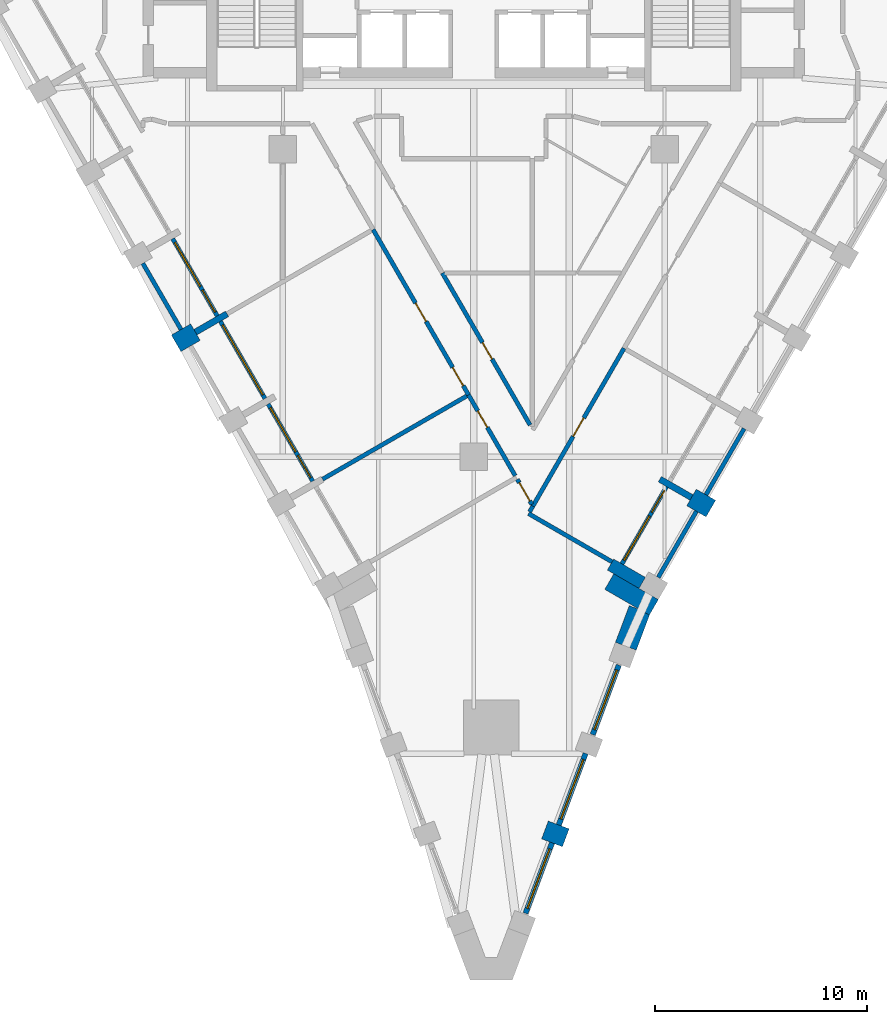
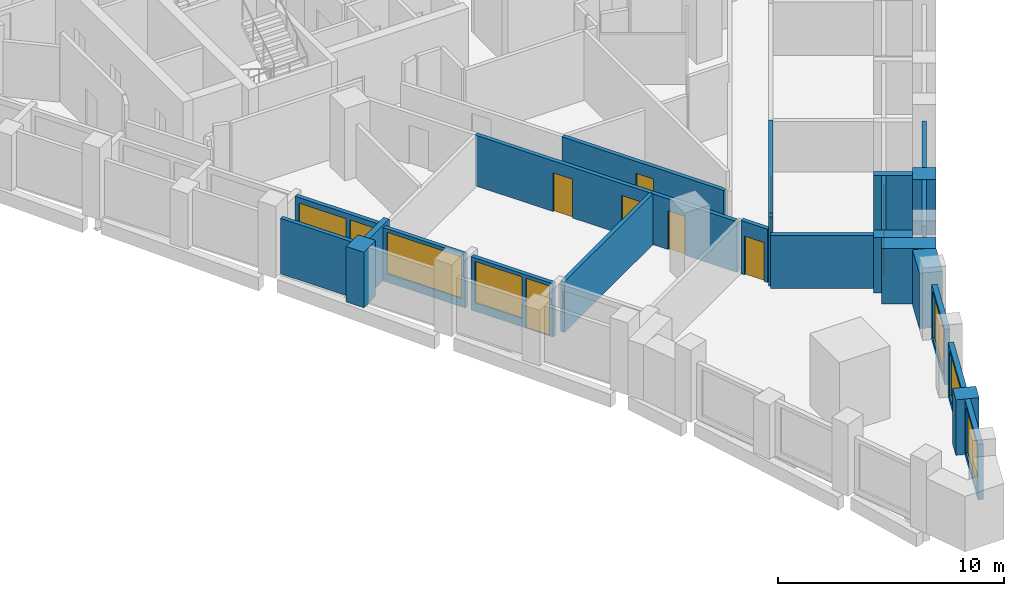
# One storey, part 3 of 10: 26 walls, 9 doors, 7 windows, 16 openings.
"""IFC4 building model written with IfcOpenShell, lengths in metres."""

from ifc_helpers import new_model, si_unit, direction, frame, frame_2d, origin, place, context, subcontext, project, spatial, polyline, rectangle, outline, extrude, material, layer, layer_set, type_object, element, fill, save


model = new_model("IFC4")

# Units and contexts
model_context = context("Model", 3, precision=1e-05, world=origin(), true_north=direction((0.0, 1.0)))
body_context = subcontext(model_context, "Body", "Model", "MODEL_VIEW")
ifc_project = project(units=[si_unit("LENGTHUNIT", "METRE"), si_unit("AREAUNIT", "SQUARE_METRE"), si_unit("VOLUMEUNIT", "CUBIC_METRE"), si_unit("PLANEANGLEUNIT", "RADIAN"), si_unit("MASSUNIT", "GRAM", prefix="KILO")], contexts=[model_context])

# Site, building, storey
site_placement = place(None, origin())
site = spatial("IfcSite", under=ifc_project, at=site_placement, CompositionType="ELEMENT")
building_placement = place(site_placement, origin())
building = spatial("IfcBuilding", under=site, at=building_placement, Name="Calabash Gate Tower", CompositionType="ELEMENT")
storey_placement = place(building_placement, frame((0.0, 0.0, 187.5)))
storey = spatial("IfcBuildingStorey", under=building, at=storey_placement, Name="L44", CompositionType="ELEMENT", Elevation=187.5)

# Walls
ifc_material_1 = material(Name="Terracotta brick masonry, exposed face", Category="masonry")
ifc_layer_1 = layer(ifc_material_1, 2.425048828125)
ifc_layer_set_1 = layer_set([ifc_layer_1], Name="Brick corner mass wall 2425")
wall_type_1 = type_object("IfcWallType", Name="Brick corner mass wall 2425", PredefinedType="SOLIDWALL", material=ifc_layer_set_1)
wall_1_placement = place(storey_placement, frame((8.489013671875, -19.102294921875, 0.0), z_axis=(0.0, 0.0, 1.0), x_axis=(-0.866041403502, 0.499972286653, 0.0)))
element("IfcWall", 1, at=wall_1_placement, inside=storey, type_object=wall_type_1, Name="Brick corner pier S12 2", PredefinedType="SOLIDWALL", context=body_context, shape_type="SweptSolid", body=[
    extrude(rectangle(XDim=2.425048828125, YDim=0.849609375, at=frame_2d((1.21240234375, 0.0))), origin(), (0.0, 0.0, 1.0), 3.0),
])
ifc_material_2 = material(Name="Terracotta brick masonry, exposed face", Category="masonry")
ifc_layer_2 = layer(ifc_material_2, 1.050048828125)
ifc_layer_set_2 = layer_set([ifc_layer_2], Name="Brick end wall 1050")
wall_type_2 = type_object("IfcWallType", Name="Brick end wall 1050", PredefinedType="SOLIDWALL", material=ifc_layer_set_2)
wall_2_placement = place(storey_placement, frame((-14.03271484375, -6.6533203125, 0.0), z_axis=(0.0, 0.0, 1.0), x_axis=(0.866088799389, 0.499890179513, 0.0)))
element("IfcWall", 2, at=wall_2_placement, inside=storey, type_object=wall_type_2, Name="Brick pier S12 SW0.5", PredefinedType="SOLIDWALL", context=body_context, shape_type="SweptSolid", body=[
    extrude(rectangle(XDim=1.050048828125, YDim=0.89990234375, at=frame_2d((0.52490234375, 0.0))), origin(), (0.0, 0.0, 1.0), 3.0),
])
wall_3_placement = place(storey_placement, frame((11.17626953125, -14.447509765625, 0.0), z_axis=(0.0, 0.0, 1.0), x_axis=(-0.866030680601, 0.499990860175, 0.0)))
element("IfcWall", 3, at=wall_3_placement, inside=storey, type_object=wall_type_2, Name="Brick pier S12 SE4.1", PredefinedType="SOLIDWALL", context=body_context, shape_type="SweptSolid", body=[
    extrude(rectangle(XDim=1.0498046875, YDim=0.89990234375, at=frame_2d((0.52490234375, 0.0))), origin(), (0.0, 0.0, 1.0), 3.0),
])
wall_4_placement = place(storey_placement, frame((3.35546875, -29.598876953125, 0.0), z_axis=(0.0, 0.0, 1.0), x_axis=(0.936003928089, -0.351989554676, 0.0)))
element("IfcWall", 4, at=wall_4_placement, inside=storey, type_object=wall_type_2, Name="Brick pier S12 wedge3.1", PredefinedType="SOLIDWALL", context=body_context, shape_type="SweptSolid", body=[
    extrude(rectangle(XDim=1.050048828125, YDim=0.89990234375, at=frame_2d((0.52490234375, 0.0))), origin(), (0.0, 0.0, 1.0), 3.0),
])
wall_5_placement = place(storey_placement, origin())
element("IfcWall", 5, at=wall_5_placement, inside=storey, type_object=wall_type_2, Name="Brick end wall S12 3", PredefinedType="SOLIDWALL", context=body_context, shape_type="SweptSolid", body=[
    extrude(outline(polyline([(7.330322265625, -19.023193359375), (6.68017578125, -20.753173828125), (7.6630859375, -21.12255859375), (8.298095703125, -19.432861328125), (8.276611328125, -19.47021484375), (7.82177734375, -19.207763671875), (7.330322265625, -19.023193359375)])), origin(), (0.0, 0.0, 1.0), 3.0),
])
ifc_material_3 = material(Name="Terracotta brick masonry, exposed face", Category="masonry")
ifc_layer_3 = layer(ifc_material_3, 0.300048828125)
ifc_layer_set_3 = layer_set([ifc_layer_3], Name="Brick loggia cheek wall 300")
wall_type_3 = type_object("IfcWallType", Name="Brick loggia cheek wall 300", PredefinedType="SOLIDWALL", material=ifc_layer_set_3)
wall_6_placement = place(storey_placement, frame((-11.62939453125, -5.265869140625, 0.0), z_axis=(0.0, 0.0, 1.0), x_axis=(-0.866013532718, -0.500020560727, 0.0)))
element("IfcWall", 6, at=wall_6_placement, inside=storey, type_object=wall_type_3, Name="Loggia cheek S12 SW0.5", PredefinedType="SOLIDWALL", context=body_context, shape_type="SweptSolid", body=[
    extrude(rectangle(XDim=1.72509765625, YDim=0.300048828125, at=frame_2d((0.862548828125, 0.0))), origin(), (0.0, 0.0, 1.0), 3.0),
])
wall_7_placement = place(storey_placement, frame((7.942138671875, -17.94970703125, 0.0), z_axis=(0.0, 0.0, 1.0), x_axis=(-0.866013532718, 0.500020560727, 0.0)))
element("IfcWall", 7, at=wall_7_placement, inside=storey, type_object=wall_type_3, Name="Loggia cheek S12 SE4.0", PredefinedType="SOLIDWALL", context=body_context, shape_type="SweptSolid", body=[
    extrude(rectangle(XDim=1.72509765625, YDim=0.60009765625, at=frame_2d((0.862548828125, 0.0))), origin(), (0.0, 0.0, 1.0), 3.0),
])
wall_8_placement = place(storey_placement, frame((10.26708984375, -13.922607421875, 0.0), z_axis=(0.0, 0.0, 1.0), x_axis=(-0.866013532718, 0.500020560727, 0.0)))
element("IfcWall", 8, at=wall_8_placement, inside=storey, type_object=wall_type_3, Name="Loggia cheek S12 SE4.1", PredefinedType="SOLIDWALL", context=body_context, shape_type="SweptSolid", body=[
    extrude(rectangle(XDim=1.72509765625, YDim=0.300048828125, at=frame_2d((0.862548828125, 0.0))), origin(), (0.0, 0.0, 1.0), 3.0),
])
ifc_material_4 = material(Name="Gypsum board on steel studs, mineral wool", Category="steel")
ifc_layer_4 = layer(ifc_material_4, 0.199951171875)
ifc_layer_set_4 = layer_set([ifc_layer_4], Name="Partition 200 gypsum board EI 60")
wall_type_4 = type_object("IfcWallType", Name="Partition 200 gypsum board EI 60", PredefinedType="PARTITIONING", material=ifc_layer_set_4)
wall_9_placement = place(storey_placement, frame((2.58251953125, -14.6826171875, 0.0), z_axis=(0.0, 0.0, 1.0), x_axis=(0.866012237902, -0.500022803284, 0.0)))
element("IfcWall", 9, at=wall_9_placement, inside=storey, type_object=wall_type_4, Name="Partition", PredefinedType="PARTITIONING", context=body_context, shape_type="SweptSolid", body=[
    extrude(rectangle(XDim=4.550048828125, YDim=0.199951171875, at=frame_2d((2.27490234375, 0.0))), origin(), (0.0, 0.0, 1.0), 2.884033203125),
])
wall_10_placement = place(storey_placement, frame((2.63232421875, -14.595947265625, 0.0), z_axis=(0.0, 0.0, 1.0), x_axis=(0.499074005857, 0.866559367082, 0.0)))
element("IfcWall", 10, at=wall_10_placement, inside=storey, type_object=wall_type_4, Name="Partition", PredefinedType="PARTITIONING", context=body_context, shape_type="SweptSolid", body=[
    extrude(rectangle(XDim=0.30419921875, YDim=0.199951171875, at=frame_2d((0.152099609375, 0.0))), origin(), (0.0, 0.0, 1.0), 3.72998046875),
])

# Wall, opening, door
wall_11_placement = place(storey_placement, frame((2.05419921875, -13.0703125, 0.0), z_axis=(0.0, 0.0, 1.0), x_axis=(0.500759821175, -0.865586276172, 0.0)))
wall_11 = element("IfcWall", 11, at=wall_11_placement, inside=storey, type_object=wall_type_4, Name="Partition", PredefinedType="PARTITIONING", context=body_context, shape_type="SweptSolid", body=[
    extrude(rectangle(XDim=1.35791015625, YDim=0.199951171875, at=frame_2d((0.678955078125, 0.0))), origin(), (0.0, 0.0, 1.0), 2.884033203125),
])
opening_1_placement = place(wall_11_placement, frame((0.178955078125, 0.0, 0.0)))
opening_1 = element("IfcOpeningElement", 12, at=opening_1_placement, cuts=wall_11, Name="Opening 42-44-011", PredefinedType="OPENING", context=body_context, shape_type="SweptSolid", body=[
    extrude(rectangle(XDim=1.0, YDim=2.10009765625, at=frame_2d((0.5, 1.050048828125))), frame((0.0, 0.10986328125, 0.0), z_axis=(0.0, -1.0, 0.0), x_axis=(1.0, 0.0, 0.0)), (0.0, 0.0, 1.0), 0.219970703125),
])
ifc_material_5 = material(Name="Steel fire door set with fire-resisting glazing", Category="steel")
door_type_1 = type_object("IfcDoorType", Name="LD2 Meeting room door 1000x2100", OperationType="NOTDEFINED", PredefinedType="DOOR", material=ifc_material_5)
door_1_placement = place(opening_1_placement, origin())
door_1 = element("IfcDoor", 13, at=door_1_placement, inside=storey, type_object=door_type_1, Name="Meeting room door", OperationType="SINGLE_SWING_RIGHT", OverallHeight=2.10009765625, OverallWidth=1.0, PredefinedType="DOOR", context=body_context, shape_type="SweptSolid", body=[
    extrude(rectangle(XDim=1.0, YDim=2.10009765625, at=frame_2d((0.5, 1.050048828125))), frame((0.0, 0.02490234375, 0.0), z_axis=(0.0, -1.0, 0.0), x_axis=(1.0, 0.0, 0.0)), (0.0, 0.0, 1.0), 0.050048828125),
])
fill(opening_1, door_1)

# Wall
wall_12_placement = place(storey_placement, frame((-7.12939453125, -13.060302734375, 0.0), z_axis=(0.0, 0.0, 1.0), x_axis=(0.866135346495, 0.499809525271, 0.0)))
element("IfcWall", 14, at=wall_12_placement, inside=storey, type_object=wall_type_4, Name="Partition", PredefinedType="PARTITIONING", context=body_context, shape_type="SweptSolid", body=[
    extrude(rectangle(XDim=7.84814453125, YDim=0.199951171875, at=frame_2d((3.924072265625, 0.0))), origin(), (0.0, 0.0, 1.0), 2.74169921875),
])

# Wall, openings, doors
wall_13_placement = place(storey_placement, frame((-4.746337890625, -1.2919921875, 0.0), z_axis=(0.0, 0.0, 1.0), x_axis=(0.5000018851, -0.866024315419, 0.0)))
wall_13 = element("IfcWall", 15, at=wall_13_placement, inside=storey, type_object=wall_type_4, Name="Partition", PredefinedType="PARTITIONING", context=body_context, shape_type="SweptSolid", body=[
    extrude(rectangle(XDim=9.0, YDim=0.199951171875, at=frame_2d((4.5, 0.0))), origin(), (0.0, 0.0, 1.0), 2.74169921875),
])
opening_2_placement = place(wall_13_placement, frame((4.0, 0.0, 0.0)))
opening_2 = element("IfcOpeningElement", 16, at=opening_2_placement, cuts=wall_13, Name="Opening 42-44-001", PredefinedType="OPENING", context=body_context, shape_type="SweptSolid", body=[
    extrude(rectangle(XDim=1.0, YDim=2.10009765625, at=frame_2d((0.5, 1.050048828125))), frame((0.0, 0.10986328125, 0.0), z_axis=(0.0, -1.0, 0.0), x_axis=(1.0, 0.0, 0.0)), (0.0, 0.0, 1.0), 0.219970703125),
])
opening_3_placement = place(wall_13_placement, frame((7.501708984375, 0.0, 0.0)))
opening_3 = element("IfcOpeningElement", 17, at=opening_3_placement, cuts=wall_13, Name="Opening 42-44-002", PredefinedType="OPENING", context=body_context, shape_type="SweptSolid", body=[
    extrude(rectangle(XDim=1.0, YDim=2.10009765625, at=frame_2d((0.5, 1.050048828125))), frame((0.0, 0.10986328125, 0.0), z_axis=(0.0, -1.0, 0.0), x_axis=(1.0, 0.0, 0.0)), (0.0, 0.0, 1.0), 0.219970703125),
])
door_2_placement = place(opening_2_placement, origin())
door_2 = element("IfcDoor", 18, at=door_2_placement, inside=storey, type_object=door_type_1, Name="Meeting room door", OperationType="SINGLE_SWING_RIGHT", OverallHeight=2.10009765625, OverallWidth=1.0, PredefinedType="DOOR", context=body_context, shape_type="SweptSolid", body=[
    extrude(rectangle(XDim=1.0, YDim=2.10009765625, at=frame_2d((0.5, 1.050048828125))), frame((0.0, 0.02490234375, 0.0), z_axis=(0.0, -1.0, 0.0), x_axis=(1.0, 0.0, 0.0)), (0.0, 0.0, 1.0), 0.050048828125),
])
fill(opening_2, door_2)
door_3_placement = place(opening_3_placement, origin())
door_3 = element("IfcDoor", 19, at=door_3_placement, inside=storey, type_object=door_type_1, Name="Meeting room door", OperationType="SINGLE_SWING_RIGHT", OverallHeight=2.10009765625, OverallWidth=1.0, PredefinedType="DOOR", context=body_context, shape_type="SweptSolid", body=[
    extrude(rectangle(XDim=1.0, YDim=2.10009765625, at=frame_2d((0.5, 1.050048828125))), frame((0.0, 0.02490234375, 0.0), z_axis=(0.0, -1.0, 0.0), x_axis=(1.0, 0.0, 0.0)), (0.0, 0.0, 1.0), 0.050048828125),
])
fill(opening_3, door_3)

# Wall, opening, door
wall_14_placement = place(storey_placement, frame((-0.245361328125, -9.087890625, 0.0), z_axis=(0.0, 0.0, 1.0), x_axis=(0.500013981145, -0.866017331616, 0.0)))
wall_14 = element("IfcWall", 20, at=wall_14_placement, inside=storey, type_object=wall_type_4, Name="Partition", PredefinedType="PARTITIONING", context=body_context, shape_type="SweptSolid", body=[
    extrude(rectangle(XDim=4.397705078125, YDim=0.199951171875, at=frame_2d((2.19873046875, 0.0))), origin(), (0.0, 0.0, 1.0), 2.74169921875),
])
opening_4_placement = place(wall_14_placement, frame((0.871337890625, 0.0, 0.0)))
opening_4 = element("IfcOpeningElement", 21, at=opening_4_placement, cuts=wall_14, Name="Opening 42-44-003", PredefinedType="OPENING", context=body_context, shape_type="SweptSolid", body=[
    extrude(rectangle(XDim=0.89990234375, YDim=2.10009765625, at=frame_2d((0.449951171875, 1.050048828125))), frame((0.0, 0.10986328125, 0.0), z_axis=(0.0, -1.0, 0.0), x_axis=(1.0, 0.0, 0.0)), (0.0, 0.0, 1.0), 0.219970703125),
])
ifc_material_6 = material(Name="Steel fire door set with fire-resisting glazing", Category="steel")
door_type_2 = type_object("IfcDoorType", Name="SD3 Store door 900x2100", OperationType="NOTDEFINED", PredefinedType="DOOR", material=ifc_material_6)
door_4_placement = place(opening_4_placement, origin())
door_4 = element("IfcDoor", 22, at=door_4_placement, inside=storey, type_object=door_type_2, Name="Store door", OperationType="SINGLE_SWING_RIGHT", OverallHeight=2.10009765625, OverallWidth=0.89990234375, PredefinedType="DOOR", context=body_context, shape_type="SweptSolid", body=[
    extrude(rectangle(XDim=0.89990234375, YDim=2.10009765625, at=frame_2d((0.449951171875, 1.050048828125))), frame((0.0, 0.02490234375, 0.0), z_axis=(0.0, -1.0, 0.0), x_axis=(1.0, 0.0, 0.0)), (0.0, 0.0, 1.0), 0.050048828125),
])
fill(opening_4, door_4)

wall_15_placement = place(storey_placement, frame((2.784423828125, -14.332763671875, 0.0), z_axis=(0.0, 0.0, 1.0), x_axis=(0.500204257301, 0.865907443656, 0.0)))
wall_15 = element("IfcWall", 23, at=wall_15_placement, inside=storey, type_object=wall_type_4, Name="Partition", PredefinedType="PARTITIONING", context=body_context, shape_type="SweptSolid", body=[
    extrude(rectangle(XDim=8.5966796875, YDim=0.199951171875, at=frame_2d((4.29833984375, 0.0))), origin(), (0.0, 0.0, 1.0), 2.74169921875),
])
opening_5_placement = place(wall_15_placement, frame((3.798583984375, 0.0, 0.0)))
opening_5 = element("IfcOpeningElement", 24, at=opening_5_placement, cuts=wall_15, Name="Opening 42-44-004", PredefinedType="OPENING", context=body_context, shape_type="SweptSolid", body=[
    extrude(rectangle(XDim=1.0, YDim=2.39990234375, at=frame_2d((0.5, 1.199951171875))), frame((0.0, 0.10986328125, 0.0), z_axis=(0.0, -1.0, 0.0), x_axis=(1.0, 0.0, 0.0)), (0.0, 0.0, 1.0), 0.219970703125),
])
ifc_material_7 = material(Name="Painted timber door", Category="wood")
door_type_3 = type_object("IfcDoorType", Name="OD2 Glazed office door 1000x2400", OperationType="NOTDEFINED", PredefinedType="DOOR", material=ifc_material_7)
door_5_placement = place(opening_5_placement, origin())
door_5 = element("IfcDoor", 25, at=door_5_placement, inside=storey, type_object=door_type_3, Name="Glazed office door", OperationType="SINGLE_SWING_LEFT", OverallHeight=2.39990234375, OverallWidth=1.0, PredefinedType="DOOR", context=body_context, shape_type="SweptSolid", body=[
    extrude(rectangle(XDim=1.0, YDim=2.39990234375, at=frame_2d((0.5, 1.199951171875))), frame((0.0, 0.02490234375, 0.0), z_axis=(0.0, -1.0, 0.0), x_axis=(1.0, 0.0, 0.0)), (0.0, 0.0, 1.0), 0.050048828125),
])
fill(opening_5, door_5)

wall_16_placement = place(storey_placement, frame((-1.479736328125, -3.341796875, 0.0), z_axis=(0.0, 0.0, 1.0), x_axis=(0.499828066166, -0.866124647076, 0.0)))
wall_16 = element("IfcWall", 26, at=wall_16_placement, inside=storey, type_object=wall_type_4, Name="Partition", PredefinedType="PARTITIONING", context=body_context, shape_type="SweptSolid", body=[
    extrude(rectangle(XDim=8.271484375, YDim=0.199951171875, at=frame_2d((4.1357421875, 0.0))), origin(), (0.0, 0.0, 1.0), 2.74169921875),
])
opening_6_placement = place(wall_16_placement, frame((3.783935546875, 0.0, 0.0)))
opening_6 = element("IfcOpeningElement", 27, at=opening_6_placement, cuts=wall_16, Name="Opening 42-44-007", PredefinedType="OPENING", context=body_context, shape_type="SweptSolid", body=[
    extrude(rectangle(XDim=0.89990234375, YDim=2.10009765625, at=frame_2d((0.449951171875, 1.050048828125))), frame((0.0, 0.10986328125, 0.0), z_axis=(0.0, -1.0, 0.0), x_axis=(1.0, 0.0, 0.0)), (0.0, 0.0, 1.0), 0.219970703125),
])
door_6_placement = place(opening_6_placement, origin())
door_6 = element("IfcDoor", 28, at=door_6_placement, inside=storey, type_object=door_type_2, Name="Store door", OperationType="SINGLE_SWING_RIGHT", OverallHeight=2.10009765625, OverallWidth=0.89990234375, PredefinedType="DOOR", context=body_context, shape_type="SweptSolid", body=[
    extrude(rectangle(XDim=0.89990234375, YDim=2.10009765625, at=frame_2d((0.449951171875, 1.050048828125))), frame((0.0, 0.02490234375, 0.0), z_axis=(0.0, -1.0, 0.0), x_axis=(1.0, 0.0, 0.0)), (0.0, 0.0, 1.0), 0.050048828125),
])
fill(opening_6, door_6)

# Wall, opening, window
ifc_material_8 = material(Name="Aluminium framed window wall with insulated spandrel", Category="aluminium")
ifc_layer_5 = layer(ifc_material_8, 0.25)
ifc_layer_set_5 = layer_set([ifc_layer_5], Name="Prow window wall 250")
wall_type_5 = type_object("IfcWallType", Name="Prow window wall 250", PredefinedType="ELEMENTEDWALL", material=ifc_layer_set_5)
wall_17_placement = place(storey_placement, frame((2.439697265625, -33.52783203125, 0.0), z_axis=(0.0, 0.0, 1.0), x_axis=(0.351778678894, 0.936083202005, 0.0)))
wall_17 = element("IfcWall", 29, at=wall_17_placement, inside=storey, type_object=wall_type_5, Name="Prow window wall S12 wedge3.1", PredefinedType="ELEMENTEDWALL", context=body_context, shape_type="SweptSolid", body=[
    extrude(rectangle(XDim=3.552001953125, YDim=0.25, at=frame_2d((1.77587890625, 0.0))), origin(), (0.0, 0.0, 1.0), 3.0),
])
opening_7_placement = place(wall_17_placement, frame((0.25, 0.0, 0.300048828125)))
opening_7 = element("IfcOpeningElement", 30, at=opening_7_placement, cuts=wall_17, Name="Opening WP2", PredefinedType="OPENING", context=body_context, shape_type="SweptSolid", body=[
    extrude(rectangle(XDim=3.0, YDim=2.5, at=frame_2d((1.5, 1.25))), frame((0.0, 0.135009765625, 0.0), z_axis=(0.0, -1.0, 0.0), x_axis=(1.0, 0.0, 0.0)), (0.0, 0.0, 1.0), 0.27001953125),
])
ifc_material_9 = material(Name="Anodised aluminium frame, bronze finish, impact-rated laminated clear glazing", Category="aluminium")
window_type_1 = type_object("IfcWindowType", Name="Window WP2 3000x2500", PartitioningType="DOUBLE_PANEL_VERTICAL", PredefinedType="WINDOW", material=ifc_material_9)
window_1_placement = place(opening_7_placement, origin())
window_1 = element("IfcWindow", 31, at=window_1_placement, inside=storey, type_object=window_type_1, Name="Prow window WP2 S12 wedge3.1", OverallHeight=2.5, OverallWidth=3.0, PartitioningType="SINGLE_PANEL", PredefinedType="WINDOW", context=body_context, shape_type="SweptSolid", body=[
    extrude(rectangle(XDim=3.0, YDim=2.5, at=frame_2d((1.5, 1.25))), frame((0.0, 0.030029296875, 0.0), z_axis=(0.0, -1.0, 0.0), x_axis=(1.0, 0.0, 0.0)), (0.0, 0.0, 1.0), 0.06005859375),
])
fill(opening_7, window_1)

wall_18_placement = place(storey_placement, frame((4.005126953125, -29.362548828125, 0.0), z_axis=(0.0, 0.0, 1.0), x_axis=(0.351829371284, 0.936064150314, 0.0)))
wall_18 = element("IfcWall", 32, at=wall_18_placement, inside=storey, type_object=wall_type_5, Name="Prow window wall S12 wedge3.2", PredefinedType="ELEMENTEDWALL", context=body_context, shape_type="SweptSolid", body=[
    extrude(rectangle(XDim=3.60009765625, YDim=0.25, at=frame_2d((1.800048828125, 0.0))), origin(), (0.0, 0.0, 1.0), 2.9501953125),
])
opening_8_placement = place(wall_18_placement, frame((0.300048828125, 0.0, 0.300048828125)))
opening_8 = element("IfcOpeningElement", 33, at=opening_8_placement, cuts=wall_18, Name="Opening WP2L-2450", PredefinedType="OPENING", context=body_context, shape_type="SweptSolid", body=[
    extrude(rectangle(XDim=3.0, YDim=2.449951171875, at=frame_2d((1.5, 1.22509765625))), frame((0.0, 0.135009765625, 0.0), z_axis=(0.0, -1.0, 0.0), x_axis=(1.0, 0.0, 0.0)), (0.0, 0.0, 1.0), 0.27001953125),
])
ifc_material_10 = material(Name="Anodised aluminium frame, bronze finish, impact-rated laminated clear glazing", Category="aluminium")
window_type_2 = type_object("IfcWindowType", Name="Window WP2L 3000x2450", PartitioningType="DOUBLE_PANEL_VERTICAL", PredefinedType="WINDOW", material=ifc_material_10)
window_2_placement = place(opening_8_placement, origin())
window_2 = element("IfcWindow", 34, at=window_2_placement, inside=storey, type_object=window_type_2, Name="Prow window WP2L S12 wedge3.2", OverallHeight=2.449951171875, OverallWidth=3.0, PartitioningType="SINGLE_PANEL", PredefinedType="WINDOW", context=body_context, shape_type="SweptSolid", body=[
    extrude(rectangle(XDim=3.0, YDim=2.449951171875, at=frame_2d((1.5, 1.22509765625))), frame((0.0, 0.030029296875, 0.0), z_axis=(0.0, -1.0, 0.0), x_axis=(1.0, 0.0, 0.0)), (0.0, 0.0, 1.0), 0.06005859375),
])
fill(opening_8, window_2)

wall_19_placement = place(storey_placement, frame((5.60595703125, -25.103271484375, 0.0), z_axis=(0.0, 0.0, 1.0), x_axis=(0.351849563443, 0.936056560634, 0.0)))
wall_19 = element("IfcWall", 35, at=wall_19_placement, inside=storey, type_object=wall_type_5, Name="Prow window wall S12 wedge3.3", PredefinedType="ELEMENTEDWALL", context=body_context, shape_type="SweptSolid", body=[
    extrude(rectangle(XDim=3.5, YDim=0.25, at=frame_2d((1.75, 0.0))), origin(), (0.0, 0.0, 1.0), 3.0),
])
opening_9_placement = place(wall_19_placement, frame((0.25, 0.0, 0.300048828125)))
opening_9 = element("IfcOpeningElement", 36, at=opening_9_placement, cuts=wall_19, Name="Opening WP2", PredefinedType="OPENING", context=body_context, shape_type="SweptSolid", body=[
    extrude(rectangle(XDim=3.0, YDim=2.5, at=frame_2d((1.5, 1.25))), frame((0.0, 0.135009765625, 0.0), z_axis=(0.0, -1.0, 0.0), x_axis=(1.0, 0.0, 0.0)), (0.0, 0.0, 1.0), 0.27001953125),
])
window_3_placement = place(opening_9_placement, origin())
window_3 = element("IfcWindow", 37, at=window_3_placement, inside=storey, type_object=window_type_1, Name="Prow window WP2 S12 wedge3.3", OverallHeight=2.5, OverallWidth=3.0, PartitioningType="SINGLE_PANEL", PredefinedType="WINDOW", context=body_context, shape_type="SweptSolid", body=[
    extrude(rectangle(XDim=3.0, YDim=2.5, at=frame_2d((1.5, 1.25))), frame((0.0, 0.030029296875, 0.0), z_axis=(0.0, -1.0, 0.0), x_axis=(1.0, 0.0, 0.0)), (0.0, 0.0, 1.0), 0.06005859375),
])
fill(opening_9, window_3)

# Walls
ifc_material_11 = material(Name="Terracotta brick masonry, perforated", Category="masonry")
ifc_layer_6 = layer(ifc_material_11, 0.199951171875)
ifc_layer_set_6 = layer_set([ifc_layer_6], Name="Terracotta jaali screen B")
wall_type_6 = type_object("IfcWallType", Name="Terracotta jaali screen B", PredefinedType="SOLIDWALL", material=ifc_layer_set_6)
wall_20_placement = place(storey_placement, frame((-15.60302734375, -2.883544921875, 0.0), z_axis=(0.0, 0.0, 1.0), x_axis=(0.500012057535, -0.866018442252, 0.0)))
element("IfcWall", 38, at=wall_20_placement, inside=storey, type_object=wall_type_6, Name="SCREEN B S12 SW0.5", PredefinedType="SOLIDWALL", context=body_context, shape_type="SweptSolid", body=[
    extrude(rectangle(XDim=3.60009765625, YDim=0.199951171875, at=frame_2d((1.800048828125, 0.0))), origin(), (0.0, 0.0, 1.0), 3.0),
])
for number, where, z_axis, x_axis, name in (
    (39, (8.69677734375, -17.692626953125, 0.0), (0.0, 0.0, 1.0), (0.499961193289, 0.866047807691, 0.0), "SCREEN B S12 SE4.1"),
    (40, (10.94677734375, -13.79541015625, 0.0), (0.0, 0.0, 1.0), (0.499961193289, 0.866047807691, 0.0), "SCREEN B S12 SE4.2"),
):
    element("IfcWall", number, at=place(storey_placement, frame(where, z_axis=z_axis, x_axis=x_axis)), inside=storey, type_object=wall_type_6, Name=name, PredefinedType="SOLIDWALL", context=body_context, shape_type="SweptSolid", body=[
        extrude(rectangle(XDim=3.599853515625, YDim=0.199951171875, at=frame_2d((1.7998046875, 0.0))), origin(), (0.0, 0.0, 1.0), 3.0),
    ])

# Wall, openings, door, window
ifc_material_12 = material(Name="Aluminium framed window wall with insulated spandrel", Category="aluminium")
ifc_layer_7 = layer(ifc_material_12, 0.199951171875)
ifc_layer_set_7 = layer_set([ifc_layer_7], Name="Window wall 200")
wall_type_7 = type_object("IfcWallType", Name="Window wall 200", PredefinedType="ELEMENTEDWALL", material=ifc_layer_set_7)
wall_21_placement = place(storey_placement, frame((-14.194091796875, -1.7236328125, 0.0), z_axis=(0.0, 0.0, 1.0), x_axis=(0.499958946799, -0.866049104564, 0.0)))
wall_21 = element("IfcWall", 41, at=wall_21_placement, inside=storey, type_object=wall_type_7, Name="Window wall S12 SW0.5", PredefinedType="ELEMENTEDWALL", context=body_context, shape_type="SweptSolid", body=[
    extrude(rectangle(XDim=4.199951171875, YDim=0.199951171875, at=frame_2d((2.10009765625, 0.0))), origin(), (0.0, 0.0, 1.0), 3.0),
])
opening_10_placement = place(wall_21_placement, frame((0.199951171875, 0.0, 0.449951171875)))
opening_10 = element("IfcOpeningElement", 42, at=opening_10_placement, cuts=wall_21, Name="Opening OW1", PredefinedType="OPENING", context=body_context, shape_type="SweptSolid", body=[
    extrude(rectangle(XDim=2.39990234375, YDim=2.25, at=frame_2d((1.199951171875, 1.125))), frame((0.0, 0.10986328125, 0.0), z_axis=(0.0, -1.0, 0.0), x_axis=(1.0, 0.0, 0.0)), (0.0, 0.0, 1.0), 0.219970703125),
])
opening_11_placement = place(wall_21_placement, frame((2.800048828125, 0.0, 0.0)))
opening_11 = element("IfcOpeningElement", 43, at=opening_11_placement, cuts=wall_21, Name="Opening O4-027", PredefinedType="OPENING", context=body_context, shape_type="SweptSolid", body=[
    extrude(rectangle(XDim=1.199951171875, YDim=2.699951171875, at=frame_2d((0.60009765625, 1.35009765625))), frame((0.0, 0.10986328125, 0.0), z_axis=(0.0, -1.0, 0.0), x_axis=(1.0, 0.0, 0.0)), (0.0, 0.0, 1.0), 0.219970703125),
])
ifc_material_13 = material(Name="Anodised aluminium frame, bronze finish, impact-rated laminated clear glazing", Category="aluminium")
door_type_4 = type_object("IfcDoorType", Name="Loggia door DO1 1200x2700", OperationType="SLIDING_TO_LEFT", PredefinedType="DOOR", material=ifc_material_13)
door_7_placement = place(opening_11_placement, origin())
door_7 = element("IfcDoor", 44, at=door_7_placement, inside=storey, type_object=door_type_4, Name="Loggia door S12 SW0.5", OperationType="SINGLE_SWING_LEFT", OverallHeight=2.699951171875, OverallWidth=1.199951171875, PredefinedType="DOOR", context=body_context, shape_type="SweptSolid", body=[
    extrude(rectangle(XDim=1.199951171875, YDim=2.699951171875, at=frame_2d((0.60009765625, 1.35009765625))), frame((0.0, 0.02490234375, 0.0), z_axis=(0.0, -1.0, 0.0), x_axis=(1.0, 0.0, 0.0)), (0.0, 0.0, 1.0), 0.050048828125),
])
fill(opening_11, door_7)
ifc_material_14 = material(Name="Anodised aluminium frame, bronze finish, impact-rated laminated clear glazing", Category="aluminium")
window_type_3 = type_object("IfcWindowType", Name="Window OW1 2400x2250", PartitioningType="DOUBLE_PANEL_VERTICAL", PredefinedType="WINDOW", material=ifc_material_14)
window_4_placement = place(opening_10_placement, origin())
window_4 = element("IfcWindow", 45, at=window_4_placement, inside=storey, type_object=window_type_3, Name="Window OW1 S12 SW0.5", OverallHeight=2.25, OverallWidth=2.39990234375, PartitioningType="SINGLE_PANEL", PredefinedType="WINDOW", context=body_context, shape_type="SweptSolid", body=[
    extrude(rectangle(XDim=2.39990234375, YDim=2.25, at=frame_2d((1.199951171875, 1.125))), frame((0.0, 0.030029296875, 0.0), z_axis=(0.0, -1.0, 0.0), x_axis=(1.0, 0.0, 0.0)), (0.0, 0.0, 1.0), 0.06005859375),
])
fill(opening_10, window_4)

# Wall, opening, window
wall_22_placement = place(storey_placement, frame((-11.944091796875, -5.620849609375, 0.0), z_axis=(0.0, 0.0, 1.0), x_axis=(0.49998411664, -0.866034573852, 0.0)))
wall_22 = element("IfcWall", 46, at=wall_22_placement, inside=storey, type_object=wall_type_7, Name="Window wall S12 SW0.6", PredefinedType="ELEMENTEDWALL", context=body_context, shape_type="SweptSolid", body=[
    extrude(rectangle(XDim=4.199951171875, YDim=0.199951171875, at=frame_2d((2.10009765625, 0.0))), origin(), (0.0, 0.0, 1.0), 2.884033203125),
])
opening_12_placement = place(wall_22_placement, frame((0.199951171875, 0.0, 0.449951171875)))
opening_12 = element("IfcOpeningElement", 47, at=opening_12_placement, cuts=wall_22, Name="Opening OW2", PredefinedType="OPENING", context=body_context, shape_type="SweptSolid", body=[
    extrude(rectangle(XDim=3.800048828125, YDim=2.25, at=frame_2d((1.89990234375, 1.125))), frame((0.0, 0.10986328125, 0.0), z_axis=(0.0, -1.0, 0.0), x_axis=(1.0, 0.0, 0.0)), (0.0, 0.0, 1.0), 0.219970703125),
])
ifc_material_15 = material(Name="Anodised aluminium frame, bronze finish, impact-rated laminated clear glazing", Category="aluminium")
window_type_4 = type_object("IfcWindowType", Name="Window OW2 3800x2250", PartitioningType="TRIPLE_PANEL_VERTICAL", PredefinedType="WINDOW", material=ifc_material_15)
window_5_placement = place(opening_12_placement, origin())
window_5 = element("IfcWindow", 48, at=window_5_placement, inside=storey, type_object=window_type_4, Name="Window OW2 S12 SW0.6", OverallHeight=2.25, OverallWidth=3.800048828125, PartitioningType="SINGLE_PANEL", PredefinedType="WINDOW", context=body_context, shape_type="SweptSolid", body=[
    extrude(rectangle(XDim=3.800048828125, YDim=2.25, at=frame_2d((1.89990234375, 1.125))), frame((0.0, 0.030029296875, 0.0), z_axis=(0.0, -1.0, 0.0), x_axis=(1.0, 0.0, 0.0)), (0.0, 0.0, 1.0), 0.06005859375),
])
fill(opening_12, window_5)

# Wall, openings, door, window
wall_23_placement = place(storey_placement, frame((-9.694091796875, -9.517822265625, 0.0), z_axis=(0.0, 0.0, 1.0), x_axis=(0.499958946799, -0.866049104564, 0.0)))
wall_23 = element("IfcWall", 49, at=wall_23_placement, inside=storey, type_object=wall_type_7, Name="Window wall S12 SW0.7", PredefinedType="ELEMENTEDWALL", context=body_context, shape_type="SweptSolid", body=[
    extrude(rectangle(XDim=4.199951171875, YDim=0.199951171875, at=frame_2d((2.10009765625, 0.0))), origin(), (0.0, 0.0, 1.0), 2.884033203125),
])
opening_13_placement = place(wall_23_placement, frame((0.199951171875, 0.0, 0.449951171875)))
opening_13 = element("IfcOpeningElement", 50, at=opening_13_placement, cuts=wall_23, Name="Opening OW1", PredefinedType="OPENING", context=body_context, shape_type="SweptSolid", body=[
    extrude(rectangle(XDim=2.39990234375, YDim=2.25, at=frame_2d((1.199951171875, 1.125))), frame((0.0, 0.10986328125, 0.0), z_axis=(0.0, -1.0, 0.0), x_axis=(1.0, 0.0, 0.0)), (0.0, 0.0, 1.0), 0.219970703125),
])
opening_14_placement = place(wall_23_placement, frame((2.800048828125, 0.0, 0.0)))
opening_14 = element("IfcOpeningElement", 51, at=opening_14_placement, cuts=wall_23, Name="Opening O4-028", PredefinedType="OPENING", context=body_context, shape_type="SweptSolid", body=[
    extrude(rectangle(XDim=1.199951171875, YDim=2.699951171875, at=frame_2d((0.60009765625, 1.35009765625))), frame((0.0, 0.10986328125, 0.0), z_axis=(0.0, -1.0, 0.0), x_axis=(1.0, 0.0, 0.0)), (0.0, 0.0, 1.0), 0.219970703125),
])
door_8_placement = place(opening_14_placement, origin())
door_8 = element("IfcDoor", 52, at=door_8_placement, inside=storey, type_object=door_type_4, Name="Loggia door S12 SW0.7", OperationType="SINGLE_SWING_LEFT", OverallHeight=2.699951171875, OverallWidth=1.199951171875, PredefinedType="DOOR", context=body_context, shape_type="SweptSolid", body=[
    extrude(rectangle(XDim=1.199951171875, YDim=2.699951171875, at=frame_2d((0.60009765625, 1.35009765625))), frame((0.0, 0.02490234375, 0.0), z_axis=(0.0, -1.0, 0.0), x_axis=(1.0, 0.0, 0.0)), (0.0, 0.0, 1.0), 0.050048828125),
])
fill(opening_14, door_8)
window_6_placement = place(opening_13_placement, origin())
window_6 = element("IfcWindow", 53, at=window_6_placement, inside=storey, type_object=window_type_3, Name="Window OW1 S12 SW0.7", OverallHeight=2.25, OverallWidth=2.39990234375, PartitioningType="SINGLE_PANEL", PredefinedType="WINDOW", context=body_context, shape_type="SweptSolid", body=[
    extrude(rectangle(XDim=2.39990234375, YDim=2.25, at=frame_2d((1.199951171875, 1.125))), frame((0.0, 0.030029296875, 0.0), z_axis=(0.0, -1.0, 0.0), x_axis=(1.0, 0.0, 0.0)), (0.0, 0.0, 1.0), 0.06005859375),
])
fill(opening_13, window_6)

wall_24_placement = place(storey_placement, frame((6.98779296875, -17.05224609375, 0.0), z_axis=(0.0, 0.0, 1.0), x_axis=(0.500027713859, 0.866009402589, 0.0)))
wall_24 = element("IfcWall", 54, at=wall_24_placement, inside=storey, type_object=wall_type_7, Name="Window wall S12 SE4.1", PredefinedType="ELEMENTEDWALL", context=body_context, shape_type="SweptSolid", body=[
    extrude(rectangle(XDim=4.199951171875, YDim=0.199951171875, at=frame_2d((2.10009765625, 0.0))), origin(), (0.0, 0.0, 1.0), 3.0),
])
opening_15_placement = place(wall_24_placement, frame((0.199951171875, 0.0, 0.449951171875)))
opening_15 = element("IfcOpeningElement", 55, at=opening_15_placement, cuts=wall_24, Name="Opening OW1", PredefinedType="OPENING", context=body_context, shape_type="SweptSolid", body=[
    extrude(rectangle(XDim=2.39990234375, YDim=2.25, at=frame_2d((1.199951171875, 1.125))), frame((0.0, 0.10986328125, 0.0), z_axis=(0.0, -1.0, 0.0), x_axis=(1.0, 0.0, 0.0)), (0.0, 0.0, 1.0), 0.219970703125),
])
opening_16_placement = place(wall_24_placement, frame((2.800048828125, 0.0, 0.0)))
opening_16 = element("IfcOpeningElement", 56, at=opening_16_placement, cuts=wall_24, Name="Opening O4-021", PredefinedType="OPENING", context=body_context, shape_type="SweptSolid", body=[
    extrude(rectangle(XDim=1.199951171875, YDim=2.699951171875, at=frame_2d((0.60009765625, 1.35009765625))), frame((0.0, 0.10986328125, 0.0), z_axis=(0.0, -1.0, 0.0), x_axis=(1.0, 0.0, 0.0)), (0.0, 0.0, 1.0), 0.219970703125),
])
door_9_placement = place(opening_16_placement, origin())
door_9 = element("IfcDoor", 57, at=door_9_placement, inside=storey, type_object=door_type_4, Name="Loggia door S12 SE4.1", OperationType="SINGLE_SWING_LEFT", OverallHeight=2.699951171875, OverallWidth=1.199951171875, PredefinedType="DOOR", context=body_context, shape_type="SweptSolid", body=[
    extrude(rectangle(XDim=1.199951171875, YDim=2.699951171875, at=frame_2d((0.60009765625, 1.35009765625))), frame((0.0, 0.02490234375, 0.0), z_axis=(0.0, -1.0, 0.0), x_axis=(1.0, 0.0, 0.0)), (0.0, 0.0, 1.0), 0.050048828125),
])
fill(opening_16, door_9)
window_7_placement = place(opening_15_placement, origin())
window_7 = element("IfcWindow", 58, at=window_7_placement, inside=storey, type_object=window_type_3, Name="Window OW1 S12 SE4.1", OverallHeight=2.25, OverallWidth=2.39990234375, PartitioningType="SINGLE_PANEL", PredefinedType="WINDOW", context=body_context, shape_type="SweptSolid", body=[
    extrude(rectangle(XDim=2.39990234375, YDim=2.25, at=frame_2d((1.199951171875, 1.125))), frame((0.0, 0.030029296875, 0.0), z_axis=(0.0, -1.0, 0.0), x_axis=(1.0, 0.0, 0.0)), (0.0, 0.0, 1.0), 0.06005859375),
])
fill(opening_15, window_7)

save(model, "model.ifc")
